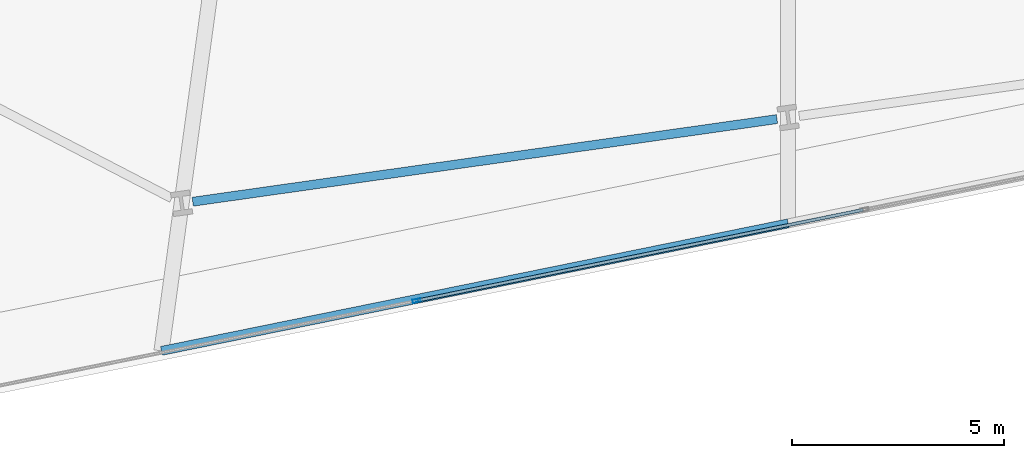
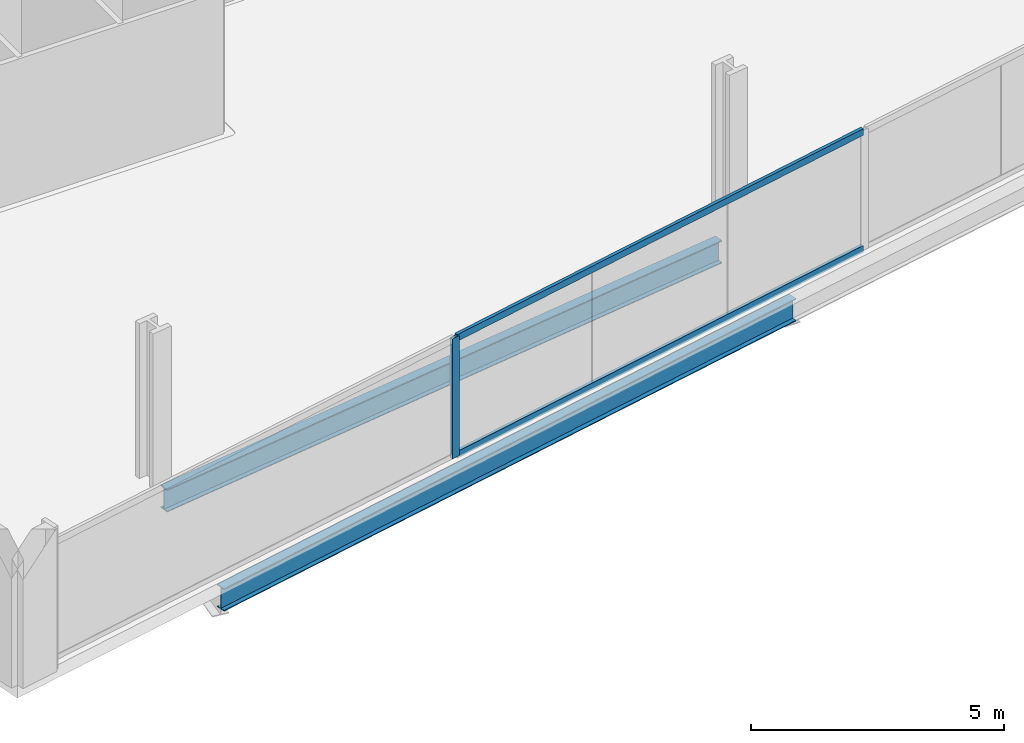
# One storey, part 4 of 33: 3 members, 2 beams, 1 element without a shape of its own.
"""IFC4 building model written with IfcOpenShell, lengths in metres."""

from ifc_helpers import new_model, si_unit, direction, frame, origin, origin_2d, place, context, subcontext, project, spatial, hollow_rectangle, i_section, extrude, material, material_profile, profile_set, type_object, element, aggregate, save


model = new_model("IFC4")

# Units and contexts
model_context = context("Model", 3, precision=1e-05, world=origin(), true_north=direction((0.0, 1.0)))
body_context = subcontext(model_context, "Body", "Model", "MODEL_VIEW")
ifc_project = project(units=[si_unit("LENGTHUNIT", "METRE"), si_unit("AREAUNIT", "SQUARE_METRE"), si_unit("VOLUMEUNIT", "CUBIC_METRE"), si_unit("PLANEANGLEUNIT", "RADIAN"), si_unit("MASSUNIT", "GRAM", prefix="KILO")], contexts=[model_context])

# Site, building, storey
site_placement = place(None, origin())
site = spatial("IfcSite", under=ifc_project, at=site_placement, CompositionType="ELEMENT")
building_placement = place(site_placement, origin())
building = spatial("IfcBuilding", under=site, at=building_placement, Name="Haldenkirk Collegiate Tower", CompositionType="ELEMENT")
storey_placement = place(building_placement, frame((0.0, 0.0, 66.449951171875)))
storey = spatial("IfcBuildingStorey", under=building, at=storey_placement, Name="L15", CompositionType="ELEMENT", Elevation=66.449951171875)

# Beams
ifc_material_1 = material(Name="Steel ASTM A992 Grade 50", Category="steel")
ifc_material_profile_1 = material_profile(ifc_material_1, i_section(OverallWidth=0.2119140625, OverallDepth=0.5439453125, WebThickness=0.01318359375, FlangeThickness=0.021240234375, at=origin_2d()), Name="W21X83")
ifc_profile_set_1 = profile_set([ifc_material_profile_1], Name="Steel ASTM A992 Grade 50")
beam_type = type_object("IfcBeamType", Name="BM-SPANDREL-W21X83", PredefinedType="SPANDREL", material=ifc_profile_set_1)
beam_1_placement = place(storey_placement, frame((25.076904296875, 2.0341796875, -0.58203125), z_axis=(0.990146197746, 0.14003752029, 0.0), x_axis=(-0.14003752029, 0.990146197746, 0.0)))
element("IfcBeam", 1, at=beam_1_placement, inside=storey, type_object=beam_type, Name="L15 perimeter spandrel beam 02", PredefinedType="SPANDREL", context=body_context, shape_type="SweptSolid", body=[
    extrude(i_section(OverallWidth=0.2119140625, OverallDepth=0.5439453125, WebThickness=0.01318359375, FlangeThickness=0.021240234375, at=origin_2d()), origin(), (0.0, 0.0, 1.0), 13.906982421875),
])
beam_2_placement = place(storey_placement, frame((24.340087890625, -1.481201171875, -0.58203125), z_axis=(0.979926096915, 0.199361090948, 0.0), x_axis=(-0.199361090948, 0.979926096915, 0.0)))
element("IfcBeam", 2, at=beam_2_placement, inside=storey, type_object=beam_type, Name="L15 outer facade edge beam 1A", PredefinedType="SPANDREL", context=body_context, shape_type="SweptSolid", body=[
    extrude(i_section(OverallWidth=0.2119140625, OverallDepth=0.5439453125, WebThickness=0.01318359375, FlangeThickness=0.021240234375, at=origin_2d()), origin(), (0.0, 0.0, 1.0), 15.0712890625),
])

# Curtain wall, members
ifc_material_2 = material(Name="Anodised architectural bronze aluminium", Category="aluminium")
curtain_wall_type = type_object("IfcCurtainWallType", Name="CW-SYS2-CONCAVE", PredefinedType="USERDEFINED", material=ifc_material_2)
curtain_wall_placement = place(storey_placement, origin())
curtain_wall = element("IfcCurtainWall", 3, at=curtain_wall_placement, inside=storey, type_object=curtain_wall_type, Name="L15 South concave recessed bronze-anodised curtain wall", ObjectType="UNITISED CURTAIN WALL", PredefinedType="USERDEFINED")
ifc_material_profile_2 = material_profile(ifc_material_2, hollow_rectangle(XDim=0.074951171875, YDim=0.18994140625, WallThickness=0.0048828125, at=origin_2d()), Name="CW-MUL-02")
ifc_profile_set_2 = profile_set([ifc_material_profile_2], Name="Anodised architectural bronze aluminium")
member_type_1 = type_object("IfcMemberType", Name="CW-MUL-02", PredefinedType="MULLION", material=ifc_profile_set_2)
member_1_placement = place(storey_placement, frame((30.354736328125, -0.29833984375, 0.0), z_axis=(0.0, 0.0, 1.0), x_axis=(0.199368665738, -0.979924555832, 0.0)))
member_1 = element("IfcMember", 4, at=member_1_placement, type_object=member_type_1, Name="CW-02 mullion 4", PredefinedType="MULLION", context=body_context, shape_type="SweptSolid", body=[
    extrude(hollow_rectangle(XDim=0.074951171875, YDim=0.18994140625, WallThickness=0.0048828125, at=origin_2d()), origin(), (0.0, 0.0, 1.0), 2.89111328125),
])
ifc_material_profile_3 = material_profile(ifc_material_2, hollow_rectangle(XDim=0.074951171875, YDim=0.159912109375, WallThickness=0.0048828125, at=origin_2d()), Name="CW-TRN-02")
ifc_profile_set_3 = profile_set([ifc_material_profile_3], Name="Anodised architectural bronze aluminium")
member_type_2 = type_object("IfcMemberType", Name="CW-TRN-02", PredefinedType="USERDEFINED", material=ifc_profile_set_3)
member_2_placement = place(storey_placement, frame((40.876708984375, 1.84228515625, 0.03759765625), z_axis=(-0.979924122261, -0.199370796785, 0.0), x_axis=(0.199370796785, -0.979924122261, 0.0)))
member_2 = element("IfcMember", 5, at=member_2_placement, type_object=member_type_2, Name="CW-02 transom 3.1", ObjectType="TRANSOM", PredefinedType="USERDEFINED", context=body_context, shape_type="SweptSolid", body=[
    extrude(hollow_rectangle(XDim=0.074951171875, YDim=0.159912109375, WallThickness=0.0048828125, at=origin_2d()), origin(), (0.0, 0.0, 1.0), 10.7001953125),
])
member_3_placement = place(storey_placement, frame((40.876708984375, 1.84228515625, 2.853515625), z_axis=(-0.979924122261, -0.199370796785, 0.0), x_axis=(0.199370796785, -0.979924122261, 0.0)))
member_3 = element("IfcMember", 6, at=member_3_placement, type_object=member_type_2, Name="CW-02 transom 3.2", ObjectType="TRANSOM", PredefinedType="USERDEFINED", context=body_context, shape_type="SweptSolid", body=[
    extrude(hollow_rectangle(XDim=0.074951171875, YDim=0.159912109375, WallThickness=0.0048828125, at=origin_2d()), origin(), (0.0, 0.0, 1.0), 10.7001953125),
])
aggregate(curtain_wall, [member_1, member_2, member_3])

save(model, "model.ifc")
